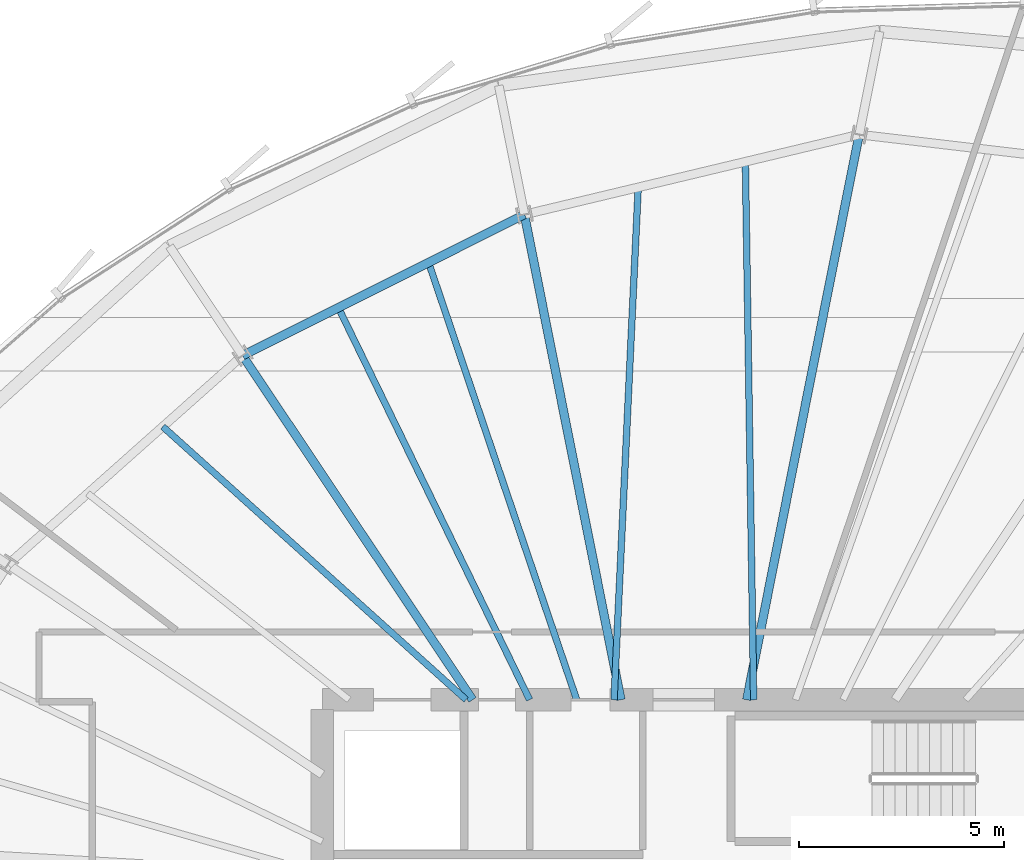
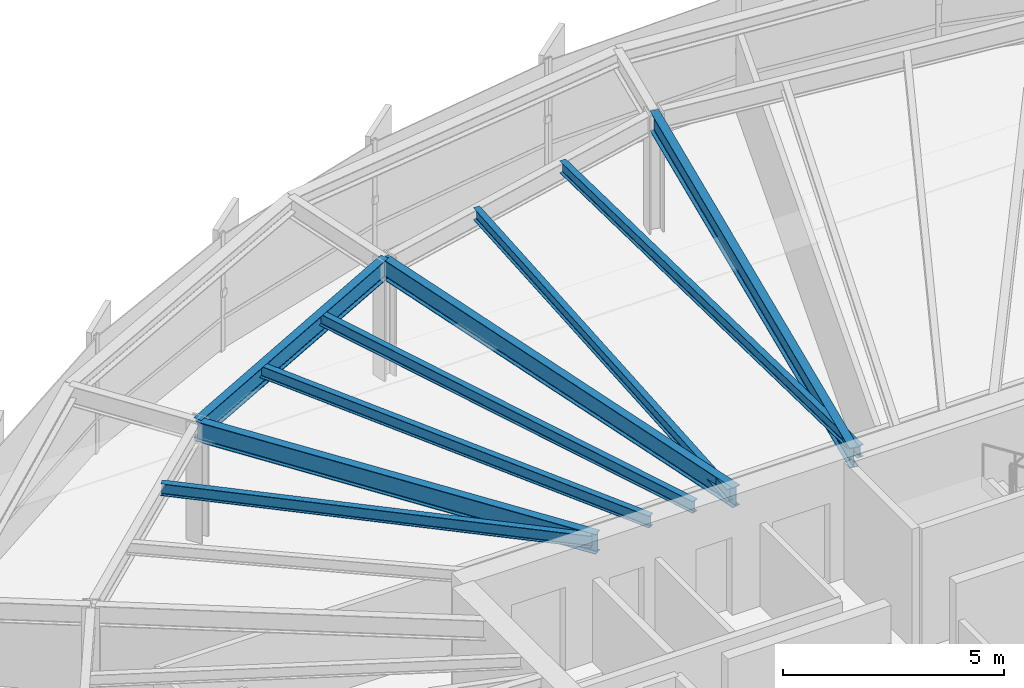
# One storey, part 20 of 36: 9 beams.
"""IFC4 building model written with IfcOpenShell, lengths in metres."""

from ifc_helpers import new_model, si_unit, direction, frame, origin, origin_2d, place, context, subcontext, project, spatial, i_section, extrude, source, transform, mapped, material, material_profile, profile_set, type_object, element, save


model = new_model("IFC4")

# Units and contexts
model_context = context("Model", 3, precision=1e-05, world=origin(), true_north=direction((0.0, 1.0)))
body_context = subcontext(model_context, "Body", "Model", "MODEL_VIEW")
ifc_project = project(units=[si_unit("LENGTHUNIT", "METRE"), si_unit("AREAUNIT", "SQUARE_METRE"), si_unit("VOLUMEUNIT", "CUBIC_METRE"), si_unit("PLANEANGLEUNIT", "RADIAN"), si_unit("MASSUNIT", "GRAM", prefix="KILO"), si_unit("THERMODYNAMICTEMPERATUREUNIT", "KELVIN")], contexts=[model_context])

# Site, building, storey
site_placement = place(None, origin())
site = spatial("IfcSite", under=ifc_project, at=site_placement, CompositionType="ELEMENT")
building_placement = place(site_placement, origin())
building = spatial("IfcBuilding", under=site, at=building_placement, Name="Kethvar Cultural Tower", CompositionType="ELEMENT")
storey_placement = place(building_placement, frame((0.0, 0.0, 150.10009765625)))
storey = spatial("IfcBuildingStorey", under=building, at=storey_placement, Name="L38", CompositionType="ELEMENT", Elevation=150.10009765625)

# Beams
ifc_material = material(Name="Steel S355J2", Category="steel")
ifc_material_profile_1 = material_profile(ifc_material, i_section(OverallWidth=0.2099609375, OverallDepth=0.550048828125, WebThickness=0.010986328125, FlangeThickness=0.01708984375, FilletRadius=0.02392578125, at=origin_2d()), Name="Steel S355J2 — IPE550")
ifc_profile_set_1 = profile_set([ifc_material_profile_1], Name="Steel S355J2 — IPE550")
beam_type_1 = type_object("IfcBeamType", Name="BM-IPE550", PredefinedType="BEAM", material=ifc_profile_set_1)
shared_shape_1 = source(origin(), body_context, "Body", "SweptSolid", [
    extrude(i_section(OverallWidth=0.2099609375, OverallDepth=0.550048828125, WebThickness=0.010986328125, FlangeThickness=0.01708984375, FilletRadius=0.02392578125, at=origin_2d()), origin(), (0.0, 0.0, 1.0), 14.02880859375),
])
beam_1_placement = place(storey_placement, frame((48.33154296875, 35.5, 3.02294921875), z_axis=(0.195101986683, 0.980782960085, 0.0), x_axis=(-0.980782960085, 0.195101986683, 0.0)))
element("IfcBeam", 1, at=beam_1_placement, inside=storey, type_object=beam_type_1, Name="L38 Primary Radial Beam RB-04", PredefinedType="BEAM", context=body_context, shape_type="MappedRepresentation", body=[
    mapped(shared_shape_1, transform((0.0, 0.0, 0.0), scale=1.0)),
])
shared_shape_2 = source(origin(), body_context, "Body", "SweptSolid", [
    extrude(i_section(OverallWidth=0.2099609375, OverallDepth=0.550048828125, WebThickness=0.010986328125, FlangeThickness=0.01708984375, FilletRadius=0.02392578125, at=origin_2d()), origin(), (0.0, 0.0, 1.0), 12.042724609375),
])
beam_2_placement = place(storey_placement, frame((45.268310546875, 35.5, 3.02294921875), z_axis=(-0.195086784047, 0.980785984142, 0.0), x_axis=(-0.980785984142, -0.195086784047, 0.0)))
element("IfcBeam", 2, at=beam_2_placement, inside=storey, type_object=beam_type_1, Name="L38 Primary Radial Beam RB-05", PredefinedType="BEAM", context=body_context, shape_type="MappedRepresentation", body=[
    mapped(shared_shape_2, transform((0.0, 0.0, 0.0), scale=1.0)),
])
shared_shape_3 = source(origin(), body_context, "Body", "SweptSolid", [
    extrude(i_section(OverallWidth=0.2099609375, OverallDepth=0.550048828125, WebThickness=0.010986328125, FlangeThickness=0.01708984375, FilletRadius=0.02392578125, at=origin_2d()), origin(), (0.0, 0.0, 1.0), 10.0751953125),
])
beam_3_placement = place(storey_placement, frame((41.655029296875, 35.5, 3.02294921875), z_axis=(-0.555566654614, 0.831472003305, 0.0), x_axis=(-0.831472003305, -0.555566654614, 0.0)))
element("IfcBeam", 3, at=beam_3_placement, inside=storey, type_object=beam_type_1, Name="L38 Primary Radial Beam RB-06", PredefinedType="BEAM", context=body_context, shape_type="MappedRepresentation", body=[
    mapped(shared_shape_3, transform((0.0, 0.0, 0.0), scale=1.0)),
])
ifc_material_profile_2 = material_profile(ifc_material, i_section(OverallWidth=0.159912109375, OverallDepth=0.330078125, WebThickness=0.007568359375, FlangeThickness=0.011474609375, FilletRadius=0.01806640625, at=origin_2d()), Name="Steel S355J2 — IPE330")
ifc_profile_set_2 = profile_set([ifc_material_profile_2], Name="Steel S355J2 — IPE330")
beam_type_2 = type_object("IfcBeamType", Name="BM-J330", PredefinedType="JOIST", material=ifc_profile_set_2)
shared_shape_4 = source(origin(), body_context, "Body", "SweptSolid", [
    extrude(i_section(OverallWidth=0.159912109375, OverallDepth=0.330078125, WebThickness=0.007568359375, FlangeThickness=0.011474609375, FilletRadius=0.01806640625, at=origin_2d()), origin(), (0.0, 0.0, 1.0), 13.098388671875),
])
beam_4_placement = place(storey_placement, frame((48.5, 35.5, 3.1328125), z_axis=(-0.015451599057, 0.999880616917, 0.0), x_axis=(-0.999880616917, -0.015451599057, 0.0)))
element("IfcBeam", 4, at=beam_4_placement, inside=storey, type_object=beam_type_2, Name="L38 Composite Floor Joist J-04A", PredefinedType="JOIST", context=body_context, shape_type="MappedRepresentation", body=[
    mapped(shared_shape_4, transform((0.0, 0.0, 0.0), scale=1.0)),
])
shared_shape_5 = source(origin(), body_context, "Body", "SweptSolid", [
    extrude(i_section(OverallWidth=0.159912109375, OverallDepth=0.330078125, WebThickness=0.007568359375, FlangeThickness=0.011474609375, FilletRadius=0.01806640625, at=origin_2d()), origin(), (0.0, 0.0, 1.0), 12.487548828125),
])
beam_5_placement = place(storey_placement, frame((45.10009765625, 35.5, 3.1328125), z_axis=(0.047214958818, 0.998884751943, 0.0), x_axis=(-0.998884751943, 0.047214958818, 0.0)))
element("IfcBeam", 5, at=beam_5_placement, inside=storey, type_object=beam_type_2, Name="L38 Composite Floor Joist J-04B", PredefinedType="JOIST", context=body_context, shape_type="MappedRepresentation", body=[
    mapped(shared_shape_5, transform((0.0, 0.0, 0.0), scale=1.0)),
])
shared_shape_6 = source(origin(), body_context, "Body", "SweptSolid", [
    extrude(i_section(OverallWidth=0.2099609375, OverallDepth=0.550048828125, WebThickness=0.010986328125, FlangeThickness=0.01708984375, FilletRadius=0.02392578125, at=origin_2d()), origin(), (0.0, 0.0, 1.0), 7.672607421875),
])
beam_6_placement = place(storey_placement, frame((42.9189453125, 47.311279296875, 3.02294921875), z_axis=(-0.894248932057, -0.447569935892, 0.0), x_axis=(0.447569935892, -0.894248932057, 0.0)))
element("IfcBeam", 6, at=beam_6_placement, inside=storey, type_object=beam_type_1, Name="L38 Column Ring Tie Beam CR-05", PredefinedType="BEAM", context=body_context, shape_type="MappedRepresentation", body=[
    mapped(shared_shape_6, transform((0.0, 0.0, 0.0), scale=1.0)),
])
shared_shape_7 = source(origin(), body_context, "Body", "SweptSolid", [
    extrude(i_section(OverallWidth=0.159912109375, OverallDepth=0.330078125, WebThickness=0.007568359375, FlangeThickness=0.011474609375, FilletRadius=0.01806640625, at=origin_2d()), origin(), (0.0, 0.0, 1.0), 11.23779296875),
])
beam_7_placement = place(storey_placement, frame((44.191650390625, 35.5, 3.1328125), z_axis=(-0.32083186626, 0.94713616423, 0.0), x_axis=(-0.94713616423, -0.32083186626, 0.0)))
element("IfcBeam", 7, at=beam_7_placement, inside=storey, type_object=beam_type_2, Name="L38 Composite Floor Joist J-05A", PredefinedType="JOIST", context=body_context, shape_type="MappedRepresentation", body=[
    mapped(shared_shape_7, transform((0.0, 0.0, 0.0), scale=1.0)),
])
shared_shape_8 = source(origin(), body_context, "Body", "SweptSolid", [
    extrude(i_section(OverallWidth=0.159912109375, OverallDepth=0.330078125, WebThickness=0.007568359375, FlangeThickness=0.011474609375, FilletRadius=0.01806640625, at=origin_2d()), origin(), (0.0, 0.0, 1.0), 10.619384765625),
])
beam_8_placement = place(storey_placement, frame((43.044921875, 35.5, 3.1328125), z_axis=(-0.438308125028, 0.898824781331, 0.0), x_axis=(-0.898824781331, -0.438308125028, 0.0)))
element("IfcBeam", 8, at=beam_8_placement, inside=storey, type_object=beam_type_2, Name="L38 Composite Floor Joist J-05B", PredefinedType="JOIST", context=body_context, shape_type="MappedRepresentation", body=[
    mapped(shared_shape_8, transform((0.0, 0.0, 0.0), scale=1.0)),
])
shared_shape_9 = source(origin(), body_context, "Body", "SweptSolid", [
    extrude(i_section(OverallWidth=0.159912109375, OverallDepth=0.330078125, WebThickness=0.007568359375, FlangeThickness=0.011474609375, FilletRadius=0.01806640625, at=origin_2d()), origin(), (0.0, 0.0, 1.0), 9.93701171875),
])
beam_9_placement = place(storey_placement, frame((41.5, 35.5, 3.1328125), z_axis=(-0.743138974967, 0.669137103952, 0.0), x_axis=(-0.669137103952, -0.743138974967, 0.0)))
element("IfcBeam", 9, at=beam_9_placement, inside=storey, type_object=beam_type_2, Name="L38 Composite Floor Joist J-06A", PredefinedType="JOIST", context=body_context, shape_type="MappedRepresentation", body=[
    mapped(shared_shape_9, transform((0.0, 0.0, 0.0), scale=1.0)),
])

save(model, "model.ifc")
